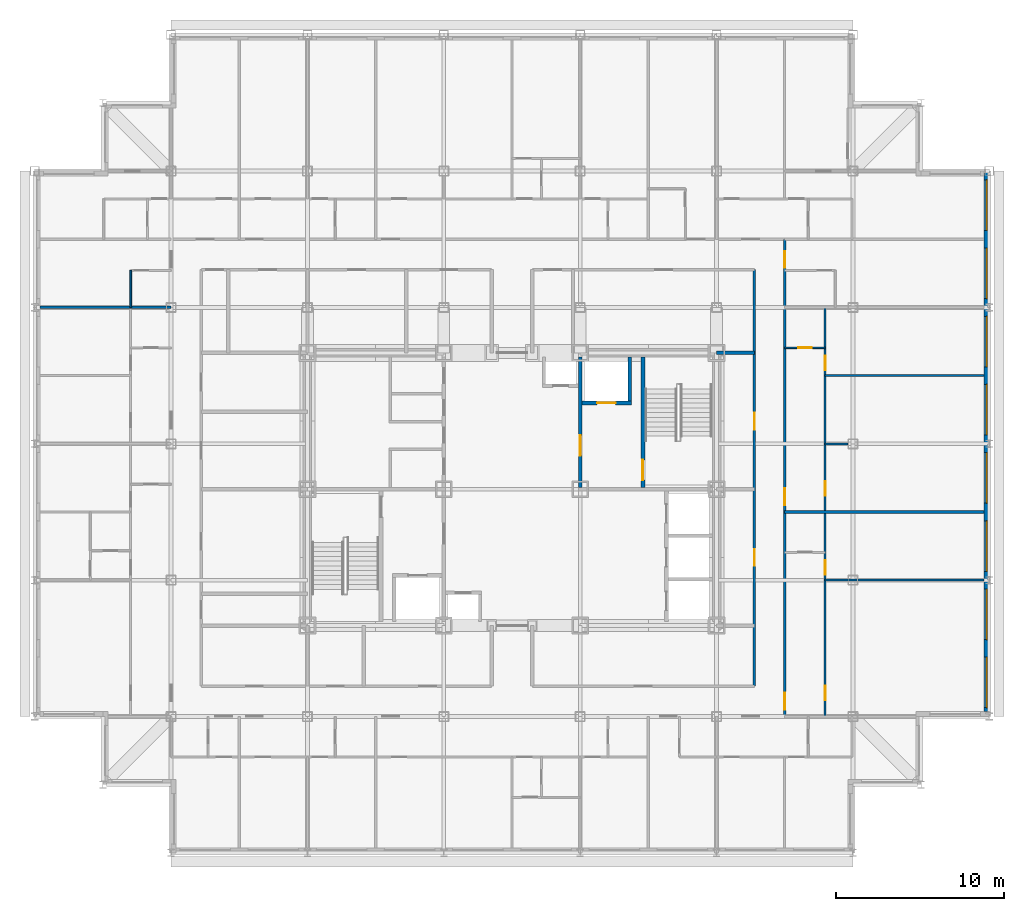
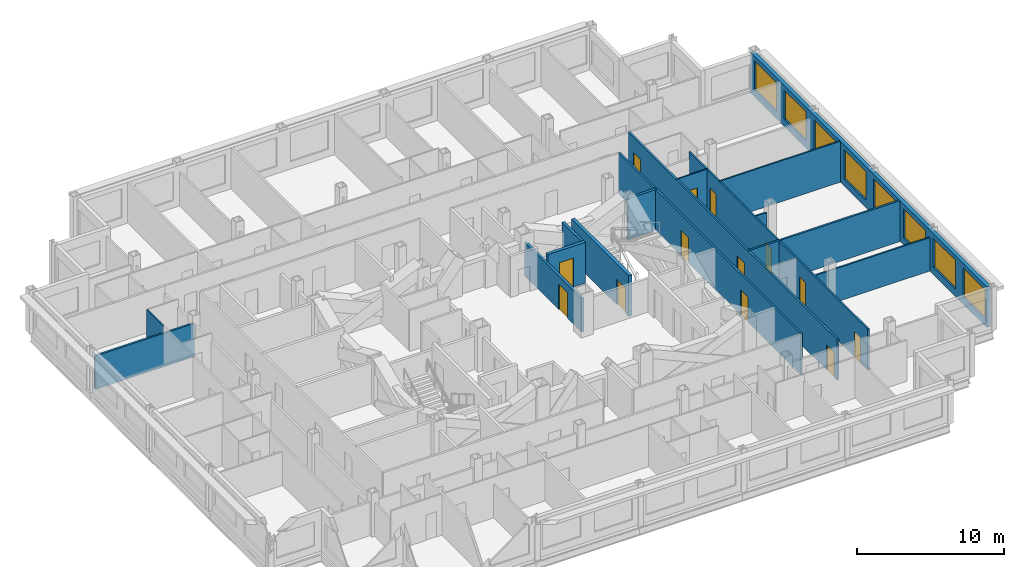
# One storey, part 8 of 12: 16 walls, 13 doors, 8 windows, 21 openings.
"""IFC4 building model written with IfcOpenShell, lengths in metres."""

from ifc_helpers import new_model, si_unit, direction, frame, frame_2d, origin, place, context, subcontext, project, spatial, rectangle, extrude, material, layer, layer_set, type_object, element, fill, save


model = new_model("IFC4")

# Units and contexts
model_context = context("Model", 3, precision=1e-05, world=origin(), true_north=direction((0.0, 1.0)))
body_context = subcontext(model_context, "Body", "Model", "MODEL_VIEW")
ifc_project = project(units=[si_unit("LENGTHUNIT", "METRE"), si_unit("AREAUNIT", "SQUARE_METRE"), si_unit("VOLUMEUNIT", "CUBIC_METRE"), si_unit("PLANEANGLEUNIT", "RADIAN"), si_unit("MASSUNIT", "GRAM", prefix="KILO")], contexts=[model_context])

# Site, building, storey
site_placement = place(None, origin())
site = spatial("IfcSite", under=ifc_project, at=site_placement, CompositionType="ELEMENT")
building_placement = place(site_placement, origin())
building = spatial("IfcBuilding", under=site, at=building_placement, Name="Kopane Lantern Tower", CompositionType="ELEMENT")
storey_placement = place(building_placement, frame((0.0, 0.0, 202.800048828125)))
storey = spatial("IfcBuildingStorey", under=building, at=storey_placement, Name="L52", CompositionType="ELEMENT", Elevation=202.800048828125)

# Wall, openings, doors
ifc_material_1 = material(Name="Gypsum board on steel studs", Category="steel")
ifc_layer_1 = layer(ifc_material_1, 0.1201171875)
ifc_layer_set_1 = layer_set([ifc_layer_1], Name="APARTMENT INTERNAL WALL 120")
wall_type_1 = type_object("IfcWallType", Name="APARTMENT INTERNAL WALL 120", PredefinedType="PARTITIONING", material=ifc_layer_set_1)
wall_1_placement = place(storey_placement, frame((46.949951171875, 18.89990234375, 0.0), z_axis=(0.0, 0.0, 1.0), x_axis=(0.0, 1.0, 0.0)))
wall_1 = element("IfcWall", 1, at=wall_1_placement, inside=storey, type_object=wall_type_1, Name="Apartment Internal Wall 120 L52", PredefinedType="PARTITIONING", context=body_context, shape_type="SweptSolid", body=[
    extrude(rectangle(XDim=24.300048828125, YDim=0.1201171875, at=frame_2d((12.14990234375, 0.0))), origin(), (0.0, 0.0, 1.0), 3.389892578125),
])
opening_1_placement = place(wall_1_placement, frame((0.97509765625, 0.0, 0.0)))
opening_1 = element("IfcOpeningElement", 2, at=opening_1_placement, cuts=wall_1, Name="Opening L52-055", PredefinedType="OPENING", context=body_context, shape_type="SweptSolid", body=[
    extrude(rectangle(XDim=0.85009765625, YDim=2.10009765625, at=frame_2d((0.425048828125, 1.050048828125))), frame((0.0, 0.070068359375, 0.0), z_axis=(0.0, -1.0, 0.0), x_axis=(1.0, 0.0, 0.0)), (0.0, 0.0, 1.0), 0.14013671875),
])
opening_2_placement = place(wall_1_placement, frame((8.425048828125, 0.0, 0.0)))
opening_2 = element("IfcOpeningElement", 3, at=opening_2_placement, cuts=wall_1, Name="Opening L52-056", PredefinedType="OPENING", context=body_context, shape_type="SweptSolid", body=[
    extrude(rectangle(XDim=0.85009765625, YDim=2.10009765625, at=frame_2d((0.425048828125, 1.050048828125))), frame((0.0, 0.070068359375, 0.0), z_axis=(0.0, -1.0, 0.0), x_axis=(1.0, 0.0, 0.0)), (0.0, 0.0, 1.0), 0.14013671875),
])
opening_3_placement = place(wall_1_placement, frame((13.125, 0.0, 0.0)))
opening_3 = element("IfcOpeningElement", 4, at=opening_3_placement, cuts=wall_1, Name="Opening L52-059", PredefinedType="OPENING", context=body_context, shape_type="SweptSolid", body=[
    extrude(rectangle(XDim=0.85009765625, YDim=2.10009765625, at=frame_2d((0.425048828125, 1.050048828125))), frame((0.0, 0.070068359375, 0.0), z_axis=(0.0, -1.0, 0.0), x_axis=(1.0, 0.0, 0.0)), (0.0, 0.0, 1.0), 0.14013671875),
])
opening_4_placement = place(wall_1_placement, frame((20.574951171875, 0.0, 0.0)))
opening_4 = element("IfcOpeningElement", 5, at=opening_4_placement, cuts=wall_1, Name="Opening L52-060", PredefinedType="OPENING", context=body_context, shape_type="SweptSolid", body=[
    extrude(rectangle(XDim=0.85009765625, YDim=2.10009765625, at=frame_2d((0.425048828125, 1.050048828125))), frame((0.0, 0.070068359375, 0.0), z_axis=(0.0, -1.0, 0.0), x_axis=(1.0, 0.0, 0.0)), (0.0, 0.0, 1.0), 0.14013671875),
])
ifc_material_2 = material(Name="Timber door set", Category="wood")
door_type_1 = type_object("IfcDoorType", Name="DOOR D4 850x2100", OperationType="SINGLE_SWING_LEFT", PredefinedType="DOOR", material=ifc_material_2)
door_1_placement = place(opening_1_placement, origin())
door_1 = element("IfcDoor", 6, at=door_1_placement, inside=storey, type_object=door_type_1, Name="Door L52-055", OperationType="SINGLE_SWING_LEFT", OverallHeight=2.10009765625, OverallWidth=0.85009765625, PredefinedType="DOOR", context=body_context, shape_type="SweptSolid", body=[
    extrude(rectangle(XDim=0.85009765625, YDim=2.10009765625, at=frame_2d((0.425048828125, 1.050048828125))), frame((0.0, 0.02490234375, 0.0), z_axis=(0.0, -1.0, 0.0), x_axis=(1.0, 0.0, 0.0)), (0.0, 0.0, 1.0), 0.050048828125),
])
fill(opening_1, door_1)
door_2_placement = place(opening_2_placement, origin())
door_2 = element("IfcDoor", 7, at=door_2_placement, inside=storey, type_object=door_type_1, Name="Door L52-056", OperationType="SINGLE_SWING_RIGHT", OverallHeight=2.10009765625, OverallWidth=0.85009765625, PredefinedType="DOOR", context=body_context, shape_type="SweptSolid", body=[
    extrude(rectangle(XDim=0.85009765625, YDim=2.10009765625, at=frame_2d((0.425048828125, 1.050048828125))), frame((0.0, 0.02490234375, 0.0), z_axis=(0.0, -1.0, 0.0), x_axis=(1.0, 0.0, 0.0)), (0.0, 0.0, 1.0), 0.050048828125),
])
fill(opening_2, door_2)
door_3_placement = place(opening_3_placement, origin())
door_3 = element("IfcDoor", 8, at=door_3_placement, inside=storey, type_object=door_type_1, Name="Door L52-059", OperationType="SINGLE_SWING_LEFT", OverallHeight=2.10009765625, OverallWidth=0.85009765625, PredefinedType="DOOR", context=body_context, shape_type="SweptSolid", body=[
    extrude(rectangle(XDim=0.85009765625, YDim=2.10009765625, at=frame_2d((0.425048828125, 1.050048828125))), frame((0.0, 0.02490234375, 0.0), z_axis=(0.0, -1.0, 0.0), x_axis=(1.0, 0.0, 0.0)), (0.0, 0.0, 1.0), 0.050048828125),
])
fill(opening_3, door_3)
door_4_placement = place(opening_4_placement, origin())
door_4 = element("IfcDoor", 9, at=door_4_placement, inside=storey, type_object=door_type_1, Name="Door L52-060", OperationType="SINGLE_SWING_RIGHT", OverallHeight=2.10009765625, OverallWidth=0.85009765625, PredefinedType="DOOR", context=body_context, shape_type="SweptSolid", body=[
    extrude(rectangle(XDim=0.85009765625, YDim=2.10009765625, at=frame_2d((0.425048828125, 1.050048828125))), frame((0.0, 0.02490234375, 0.0), z_axis=(0.0, -1.0, 0.0), x_axis=(1.0, 0.0, 0.0)), (0.0, 0.0, 1.0), 0.050048828125),
])
fill(opening_4, door_4)

# Walls
wall_2_placement = place(storey_placement, frame((46.949951171875, 27.0, 0.0), z_axis=(0.0, 0.0, 1.0), x_axis=(1.0, 0.0, 0.0)))
element("IfcWall", 10, at=wall_2_placement, inside=storey, type_object=wall_type_1, Name="Apartment Internal Wall 120 L52", PredefinedType="PARTITIONING", context=body_context, shape_type="SweptSolid", body=[
    extrude(rectangle(XDim=9.449951171875, YDim=0.1201171875, at=frame_2d((4.72509765625, 0.0))), origin(), (0.0, 0.0, 1.0), 2.77783203125),
])
wall_3_placement = place(storey_placement, frame((46.949951171875, 39.14990234375, 0.0), z_axis=(0.0, 0.0, 1.0), x_axis=(1.0, 0.0, 0.0)))
element("IfcWall", 11, at=wall_3_placement, inside=storey, type_object=wall_type_1, Name="Apartment Internal Wall 120 L52", PredefinedType="PARTITIONING", context=body_context, shape_type="SweptSolid", body=[
    extrude(rectangle(XDim=9.449951171875, YDim=0.1201171875, at=frame_2d((4.72509765625, 0.0))), origin(), (0.0, 0.0, 1.0), 3.389892578125),
])
wall_4_placement = place(storey_placement, frame((46.949951171875, 35.10009765625, 0.0), z_axis=(0.0, 0.0, 1.0), x_axis=(1.0, 0.0, 0.0)))
element("IfcWall", 12, at=wall_4_placement, inside=storey, type_object=wall_type_1, Name="Apartment Internal Wall 120 L52", PredefinedType="PARTITIONING", context=body_context, shape_type="SweptSolid", body=[
    extrude(rectangle(XDim=1.35009765625, YDim=0.1201171875, at=frame_2d((0.675048828125, 0.0))), origin(), (0.0, 0.0, 1.0), 2.77783203125),
])
ifc_material_3 = material(Name="Moisture-resistant board on steel studs", Category="steel")
ifc_layer_2 = layer(ifc_material_3, 0.10009765625)
ifc_layer_set_2 = layer_set([ifc_layer_2], Name="BATHROOM WALL 100")
wall_type_2 = type_object("IfcWallType", Name="BATHROOM WALL 100", PredefinedType="PARTITIONING", material=ifc_layer_set_2)
wall_5_placement = place(storey_placement, frame((5.699951171875, 43.199951171875, 0.0), z_axis=(0.0, 0.0, 1.0), x_axis=(0.0, 1.0, 0.0)))
element("IfcWall", 13, at=wall_5_placement, inside=storey, type_object=wall_type_2, Name="Bathroom Wall 100 L52", PredefinedType="PARTITIONING", context=body_context, shape_type="SweptSolid", body=[
    extrude(rectangle(XDim=2.199951171875, YDim=0.10009765625, at=frame_2d((1.10009765625, 0.0))), origin(), (0.0, 0.0, 1.0), 3.389892578125),
])

# Wall, opening, door
wall_6_placement = place(storey_placement, frame((44.550048828125, 40.800048828125, 0.0), z_axis=(0.0, 0.0, 1.0), x_axis=(1.0, 0.0, 0.0)))
wall_6 = element("IfcWall", 14, at=wall_6_placement, inside=storey, type_object=wall_type_2, Name="Bathroom Wall 100 L52", PredefinedType="PARTITIONING", context=body_context, shape_type="SweptSolid", body=[
    extrude(rectangle(XDim=2.39990234375, YDim=0.10009765625, at=frame_2d((1.199951171875, 0.0))), origin(), (0.0, 0.0, 1.0), 3.389892578125),
])
opening_5_placement = place(wall_6_placement, frame((0.800048828125, 0.0, 0.0)))
opening_5 = element("IfcOpeningElement", 15, at=opening_5_placement, cuts=wall_6, Name="Opening L52-057", PredefinedType="OPENING", context=body_context, shape_type="SweptSolid", body=[
    extrude(rectangle(XDim=0.800048828125, YDim=2.10009765625, at=frame_2d((0.39990234375, 1.050048828125))), frame((0.0, 0.06005859375, 0.0), z_axis=(0.0, -1.0, 0.0), x_axis=(1.0, 0.0, 0.0)), (0.0, 0.0, 1.0), 0.1201171875),
])
ifc_material_4 = material(Name="Timber door set", Category="wood")
door_type_2 = type_object("IfcDoorType", Name="DOOR D2 800x2100", OperationType="SINGLE_SWING_LEFT", PredefinedType="DOOR", material=ifc_material_4)
door_5_placement = place(opening_5_placement, origin())
door_5 = element("IfcDoor", 16, at=door_5_placement, inside=storey, type_object=door_type_2, Name="Door L52-057", OperationType="SINGLE_SWING_LEFT", OverallHeight=2.10009765625, OverallWidth=0.800048828125, PredefinedType="DOOR", context=body_context, shape_type="SweptSolid", body=[
    extrude(rectangle(XDim=0.800048828125, YDim=2.10009765625, at=frame_2d((0.39990234375, 1.050048828125))), frame((0.0, 0.02490234375, 0.0), z_axis=(0.0, -1.0, 0.0), x_axis=(1.0, 0.0, 0.0)), (0.0, 0.0, 1.0), 0.050048828125),
])
fill(opening_5, door_5)

ifc_material_5 = material(Name="Gypsum shaft wall EI 120", Category="gypsum")
ifc_layer_3 = layer(ifc_material_5, 0.25)
ifc_layer_set_3 = layer_set([ifc_layer_3], Name="CORE SHAFT WALL 250 EI 120")
wall_type_3 = type_object("IfcWallType", Name="CORE SHAFT WALL 250 EI 120", PredefinedType="SOLIDWALL", material=ifc_layer_set_3)
wall_7_placement = place(storey_placement, frame((36.125, 32.5, 0.0), z_axis=(0.0, 0.0, 1.0), x_axis=(0.0, 1.0, 0.0)))
wall_7 = element("IfcWall", 17, at=wall_7_placement, inside=storey, type_object=wall_type_3, Name="Core shaft wall L52 XST2", PredefinedType="SOLIDWALL", context=body_context, shape_type="SweptSolid", body=[
    extrude(rectangle(XDim=7.75, YDim=0.25, at=frame_2d((3.875, 0.0))), origin(), (0.0, 0.0, 1.0), 3.389892578125),
])
opening_6_placement = place(wall_7_placement, frame((0.449951171875, 0.0, 0.0)))
opening_6 = element("IfcOpeningElement", 18, at=opening_6_placement, cuts=wall_7, Name="Opening 52.SD2", PredefinedType="OPENING", context=body_context, shape_type="SweptSolid", body=[
    extrude(rectangle(XDim=1.199951171875, YDim=2.10009765625, at=frame_2d((0.60009765625, 1.050048828125))), frame((0.0, 0.135009765625, 0.0), z_axis=(0.0, -1.0, 0.0), x_axis=(1.0, 0.0, 0.0)), (0.0, 0.0, 1.0), 0.27001953125),
])
ifc_material_6 = material(Name="Steel door set", Category="steel")
door_type_3 = type_object("IfcDoorType", Name="STAIR DOOR 1200x2100 FD60S", OperationType="SINGLE_SWING_LEFT", PredefinedType="DOOR", material=ifc_material_6)
door_6_placement = place(opening_6_placement, origin())
door_6 = element("IfcDoor", 19, at=door_6_placement, inside=storey, type_object=door_type_3, Name="Stair door ST2 L52", OperationType="SINGLE_SWING_RIGHT", OverallHeight=2.10009765625, OverallWidth=1.199951171875, PredefinedType="DOOR", context=body_context, shape_type="SweptSolid", body=[
    extrude(rectangle(XDim=1.199951171875, YDim=2.10009765625, at=frame_2d((0.60009765625, 1.050048828125))), frame((0.0, 0.02490234375, 0.0), z_axis=(0.0, -1.0, 0.0), x_axis=(1.0, 0.0, 0.0)), (0.0, 0.0, 1.0), 0.050048828125),
])
fill(opening_6, door_6)

wall_8_placement = place(storey_placement, frame((32.5, 37.52490234375, 0.0), z_axis=(0.0, 0.0, 1.0), x_axis=(1.0, 0.0, 0.0)))
wall_8 = element("IfcWall", 20, at=wall_8_placement, inside=storey, type_object=wall_type_3, Name="Core shaft wall L52 YLF2", PredefinedType="SOLIDWALL", context=body_context, shape_type="SweptSolid", body=[
    extrude(rectangle(XDim=2.949951171875, YDim=0.25, at=frame_2d((1.47509765625, 0.0))), origin(), (0.0, 0.0, 1.0), 3.389892578125),
])
opening_7_placement = place(wall_8_placement, frame((0.89990234375, 0.0, 0.0)))
opening_7 = element("IfcOpeningElement", 21, at=opening_7_placement, cuts=wall_8, Name="Opening 52.LD-LF2", PredefinedType="OPENING", context=body_context, shape_type="SweptSolid", body=[
    extrude(rectangle(XDim=1.10009765625, YDim=2.39990234375, at=frame_2d((0.550048828125, 1.199951171875))), frame((0.0, 0.135009765625, 0.0), z_axis=(0.0, -1.0, 0.0), x_axis=(1.0, 0.0, 0.0)), (0.0, 0.0, 1.0), 0.27001953125),
])
ifc_material_7 = material(Name="Steel door set", Category="steel")
door_type_4 = type_object("IfcDoorType", Name="LIFT LANDING DOOR 1100x2400 FD60", OperationType="DOUBLE_DOOR_SLIDING", PredefinedType="DOOR", material=ifc_material_7)
door_7_placement = place(opening_7_placement, origin())
door_7 = element("IfcDoor", 22, at=door_7_placement, inside=storey, type_object=door_type_4, Name="Landing door LF2 L52", OperationType="DOUBLE_DOOR_SLIDING", OverallHeight=2.39990234375, OverallWidth=1.10009765625, PredefinedType="DOOR", context=body_context, shape_type="SweptSolid", body=[
    extrude(rectangle(XDim=1.10009765625, YDim=2.39990234375, at=frame_2d((0.550048828125, 1.199951171875))), frame((0.0, 0.02490234375, 0.0), z_axis=(0.0, -1.0, 0.0), x_axis=(1.0, 0.0, 0.0)), (0.0, 0.0, 1.0), 0.050048828125),
])
fill(opening_7, door_7)

# Wall, openings, doors
ifc_material_8 = material(Name="Gypsum board on steel studs", Category="steel")
ifc_layer_4 = layer(ifc_material_8, 0.14990234375)
ifc_layer_set_4 = layer_set([ifc_layer_4], Name="CORRIDOR WALL 150 EI 60")
wall_type_4 = type_object("IfcWallType", Name="CORRIDOR WALL 150 EI 60", PredefinedType="PARTITIONING", material=ifc_layer_set_4)
wall_9_placement = place(storey_placement, frame((44.550048828125, 18.89990234375, 0.0), z_axis=(0.0, 0.0, 1.0), x_axis=(0.0, 1.0, 0.0)))
wall_9 = element("IfcWall", 23, at=wall_9_placement, inside=storey, type_object=wall_type_4, Name="Corridor Wall 150 Ei 60 L52", PredefinedType="PARTITIONING", context=body_context, shape_type="SweptSolid", body=[
    extrude(rectangle(XDim=28.35009765625, YDim=0.14990234375, at=frame_2d((14.175048828125, 0.0))), origin(), (0.0, 0.0, 1.0), 3.389892578125),
])
opening_8_placement = place(wall_9_placement, frame((0.39990234375, 0.0, 0.0)))
opening_8 = element("IfcOpeningElement", 24, at=opening_8_placement, cuts=wall_9, Name="Opening L52-054", PredefinedType="OPENING", context=body_context, shape_type="SweptSolid", body=[
    extrude(rectangle(XDim=1.0, YDim=2.10009765625, at=frame_2d((0.5, 1.050048828125))), frame((0.0, 0.0849609375, 0.0), z_axis=(0.0, -1.0, 0.0), x_axis=(1.0, 0.0, 0.0)), (0.0, 0.0, 1.0), 0.169921875),
])
opening_9_placement = place(wall_9_placement, frame((12.550048828125, 0.0, 0.0)))
opening_9 = element("IfcOpeningElement", 25, at=opening_9_placement, cuts=wall_9, Name="Opening L52-058", PredefinedType="OPENING", context=body_context, shape_type="SweptSolid", body=[
    extrude(rectangle(XDim=1.0, YDim=2.10009765625, at=frame_2d((0.5, 1.050048828125))), frame((0.0, 0.0849609375, 0.0), z_axis=(0.0, -1.0, 0.0), x_axis=(1.0, 0.0, 0.0)), (0.0, 0.0, 1.0), 0.169921875),
])
opening_10_placement = place(wall_9_placement, frame((26.64990234375, 0.0, 0.0)))
opening_10 = element("IfcOpeningElement", 26, at=opening_10_placement, cuts=wall_9, Name="Opening L52-062", PredefinedType="OPENING", context=body_context, shape_type="SweptSolid", body=[
    extrude(rectangle(XDim=1.0, YDim=2.10009765625, at=frame_2d((0.5, 1.050048828125))), frame((0.0, 0.0849609375, 0.0), z_axis=(0.0, -1.0, 0.0), x_axis=(1.0, 0.0, 0.0)), (0.0, 0.0, 1.0), 0.169921875),
])
ifc_material_9 = material(Name="Steel door set", Category="steel")
door_type_5 = type_object("IfcDoorType", Name="DOOR D3 1000x2100 FD30S", OperationType="SINGLE_SWING_LEFT", PredefinedType="DOOR", material=ifc_material_9)
door_8_placement = place(opening_8_placement, origin())
door_8 = element("IfcDoor", 27, at=door_8_placement, inside=storey, type_object=door_type_5, Name="Door L52-054", OperationType="SINGLE_SWING_RIGHT", OverallHeight=2.10009765625, OverallWidth=1.0, PredefinedType="DOOR", context=body_context, shape_type="SweptSolid", body=[
    extrude(rectangle(XDim=1.0, YDim=2.10009765625, at=frame_2d((0.5, 1.050048828125))), frame((0.0, 0.02490234375, 0.0), z_axis=(0.0, -1.0, 0.0), x_axis=(1.0, 0.0, 0.0)), (0.0, 0.0, 1.0), 0.050048828125),
])
fill(opening_8, door_8)
door_9_placement = place(opening_9_placement, origin())
door_9 = element("IfcDoor", 28, at=door_9_placement, inside=storey, type_object=door_type_5, Name="Door L52-058", OperationType="SINGLE_SWING_RIGHT", OverallHeight=2.10009765625, OverallWidth=1.0, PredefinedType="DOOR", context=body_context, shape_type="SweptSolid", body=[
    extrude(rectangle(XDim=1.0, YDim=2.10009765625, at=frame_2d((0.5, 1.050048828125))), frame((0.0, 0.02490234375, 0.0), z_axis=(0.0, -1.0, 0.0), x_axis=(1.0, 0.0, 0.0)), (0.0, 0.0, 1.0), 0.050048828125),
])
fill(opening_9, door_9)
door_10_placement = place(opening_10_placement, origin())
door_10 = element("IfcDoor", 29, at=door_10_placement, inside=storey, type_object=door_type_5, Name="Door L52-062", OperationType="SINGLE_SWING_RIGHT", OverallHeight=2.10009765625, OverallWidth=1.0, PredefinedType="DOOR", context=body_context, shape_type="SweptSolid", body=[
    extrude(rectangle(XDim=1.0, YDim=2.10009765625, at=frame_2d((0.5, 1.050048828125))), frame((0.0, 0.02490234375, 0.0), z_axis=(0.0, -1.0, 0.0), x_axis=(1.0, 0.0, 0.0)), (0.0, 0.0, 1.0), 0.050048828125),
])
fill(opening_10, door_10)

wall_10_placement = place(storey_placement, frame((42.75, 20.699951171875, 0.0), z_axis=(0.0, 0.0, 1.0), x_axis=(0.0, 1.0, 0.0)))
wall_10 = element("IfcWall", 30, at=wall_10_placement, inside=storey, type_object=wall_type_4, Name="Corridor Wall 150 Ei 60 L52", PredefinedType="PARTITIONING", context=body_context, shape_type="SweptSolid", body=[
    extrude(rectangle(XDim=24.75, YDim=0.14990234375, at=frame_2d((12.375, 0.0))), origin(), (0.0, 0.0, 1.0), 3.389892578125),
])
opening_11_placement = place(wall_10_placement, frame((7.14990234375, 0.0, 0.0)))
opening_11 = element("IfcOpeningElement", 31, at=opening_11_placement, cuts=wall_10, Name="Opening L52-005", PredefinedType="OPENING", context=body_context, shape_type="SweptSolid", body=[
    extrude(rectangle(XDim=1.0, YDim=2.10009765625, at=frame_2d((0.5, 1.050048828125))), frame((0.0, 0.0849609375, 0.0), z_axis=(0.0, -1.0, 0.0), x_axis=(1.0, 0.0, 0.0)), (0.0, 0.0, 1.0), 0.169921875),
])
opening_12_placement = place(wall_10_placement, frame((15.25, 0.0, 0.0)))
opening_12 = element("IfcOpeningElement", 32, at=opening_12_placement, cuts=wall_10, Name="Opening L52-006", PredefinedType="OPENING", context=body_context, shape_type="SweptSolid", body=[
    extrude(rectangle(XDim=1.0, YDim=2.10009765625, at=frame_2d((0.5, 1.050048828125))), frame((0.0, 0.0849609375, 0.0), z_axis=(0.0, -1.0, 0.0), x_axis=(1.0, 0.0, 0.0)), (0.0, 0.0, 1.0), 0.169921875),
])
ifc_material_10 = material(Name="Steel door set", Category="steel")
door_type_6 = type_object("IfcDoorType", Name="DOOR D5 1000x2100 FD60", OperationType="SINGLE_SWING_LEFT", PredefinedType="DOOR", material=ifc_material_10)
door_11_placement = place(opening_11_placement, origin())
door_11 = element("IfcDoor", 33, at=door_11_placement, inside=storey, type_object=door_type_6, Name="Door L52-005", OperationType="SINGLE_SWING_LEFT", OverallHeight=2.10009765625, OverallWidth=1.0, PredefinedType="DOOR", context=body_context, shape_type="SweptSolid", body=[
    extrude(rectangle(XDim=1.0, YDim=2.10009765625, at=frame_2d((0.5, 1.050048828125))), frame((0.0, 0.02490234375, 0.0), z_axis=(0.0, -1.0, 0.0), x_axis=(1.0, 0.0, 0.0)), (0.0, 0.0, 1.0), 0.050048828125),
])
fill(opening_11, door_11)
door_12_placement = place(opening_12_placement, origin())
door_12 = element("IfcDoor", 34, at=door_12_placement, inside=storey, type_object=door_type_6, Name="Door L52-006", OperationType="SINGLE_SWING_RIGHT", OverallHeight=2.10009765625, OverallWidth=1.0, PredefinedType="DOOR", context=body_context, shape_type="SweptSolid", body=[
    extrude(rectangle(XDim=1.0, YDim=2.10009765625, at=frame_2d((0.5, 1.050048828125))), frame((0.0, 0.02490234375, 0.0), z_axis=(0.0, -1.0, 0.0), x_axis=(1.0, 0.0, 0.0)), (0.0, 0.0, 1.0), 0.050048828125),
])
fill(opening_12, door_12)

# Walls
ifc_material_11 = material(Name="Gypsum board on steel studs", Category="steel")
ifc_layer_5 = layer(ifc_material_11, 0.14990234375)
ifc_layer_set_5 = layer_set([ifc_layer_5], Name="DEMISING WALL 150 EI 60")
wall_type_5 = type_object("IfcWallType", Name="DEMISING WALL 150 EI 60", PredefinedType="PARTITIONING", material=ifc_layer_set_5)
wall_11_placement = place(storey_placement, frame((8.10009765625, 43.199951171875, 0.0), z_axis=(0.0, 0.0, 1.0), x_axis=(-1.0, 0.0, 0.0)))
element("IfcWall", 35, at=wall_11_placement, inside=storey, type_object=wall_type_5, Name="Demising Wall 150 Ei 60 L52", PredefinedType="PARTITIONING", context=body_context, shape_type="SweptSolid", body=[
    extrude(rectangle(XDim=7.800048828125, YDim=0.14990234375, at=frame_2d((3.89990234375, 0.0))), origin(), (0.0, 0.0, 1.0), 2.77783203125),
])
wall_12_placement = place(storey_placement, frame((44.550048828125, 31.050048828125, 0.0), z_axis=(0.0, 0.0, 1.0), x_axis=(1.0, 0.0, 0.0)))
element("IfcWall", 36, at=wall_12_placement, inside=storey, type_object=wall_type_5, Name="Demising Wall 150 Ei 60 L52", PredefinedType="PARTITIONING", context=body_context, shape_type="SweptSolid", body=[
    extrude(rectangle(XDim=11.849853515625, YDim=0.14990234375, at=frame_2d((5.9248046875, 0.0))), origin(), (0.0, 0.0, 1.0), 3.389892578125),
])

# Wall, openings, windows
ifc_material_12 = material(Name="Terracotta rainscreen on light steel framing", Category="masonry")
ifc_layer_6 = layer(ifc_material_12, 0.300048828125)
ifc_layer_set_6 = layer_set([ifc_layer_6], Name="EXTERNAL WALL EW1 300 TERRACOTTA")
wall_type_6 = type_object("IfcWallType", Name="EXTERNAL WALL EW1 300 TERRACOTTA", PredefinedType="SOLIDWALL", material=ifc_layer_set_6)
wall_13_placement = place(storey_placement, frame((56.550048828125, 19.199951171875, 0.0), z_axis=(0.0, 0.0, 1.0), x_axis=(0.0, 1.0, 0.0)))
wall_13 = element("IfcWall", 37, at=wall_13_placement, inside=storey, type_object=wall_type_6, Name="External wall E L52", PredefinedType="SOLIDWALL", context=body_context, shape_type="SweptSolid", body=[
    extrude(rectangle(XDim=32.10009765625, YDim=0.300048828125, at=frame_2d((16.050048828125, 0.0))), origin(), (0.0, 0.0, 1.0), 3.389892578125),
])
opening_13_placement = place(wall_13_placement, frame((0.22509765625, 0.0, 0.60009765625)))
opening_13 = element("IfcOpeningElement", 38, at=opening_13_placement, cuts=wall_13, Name="Opening WR300240", PredefinedType="OPENING", context=body_context, shape_type="SweptSolid", body=[
    extrude(rectangle(XDim=3.0, YDim=2.39990234375, at=frame_2d((1.5, 1.199951171875))), frame((0.0, 0.159912109375, 0.0), z_axis=(0.0, -1.0, 0.0), x_axis=(1.0, 0.0, 0.0)), (0.0, 0.0, 1.0), 0.320068359375),
])
opening_14_placement = place(wall_13_placement, frame((4.27490234375, 0.0, 0.60009765625)))
opening_14 = element("IfcOpeningElement", 39, at=opening_14_placement, cuts=wall_13, Name="Opening WR300240", PredefinedType="OPENING", context=body_context, shape_type="SweptSolid", body=[
    extrude(rectangle(XDim=3.0, YDim=2.39990234375, at=frame_2d((1.5, 1.199951171875))), frame((0.0, 0.159912109375, 0.0), z_axis=(0.0, -1.0, 0.0), x_axis=(1.0, 0.0, 0.0)), (0.0, 0.0, 1.0), 0.320068359375),
])
opening_15_placement = place(wall_13_placement, frame((8.324951171875, 0.0, 0.60009765625)))
opening_15 = element("IfcOpeningElement", 40, at=opening_15_placement, cuts=wall_13, Name="Opening WR300240", PredefinedType="OPENING", context=body_context, shape_type="SweptSolid", body=[
    extrude(rectangle(XDim=3.0, YDim=2.39990234375, at=frame_2d((1.5, 1.199951171875))), frame((0.0, 0.159912109375, 0.0), z_axis=(0.0, -1.0, 0.0), x_axis=(1.0, 0.0, 0.0)), (0.0, 0.0, 1.0), 0.320068359375),
])
opening_16_placement = place(wall_13_placement, frame((12.375, 0.0, 0.60009765625)))
opening_16 = element("IfcOpeningElement", 41, at=opening_16_placement, cuts=wall_13, Name="Opening WR300240", PredefinedType="OPENING", context=body_context, shape_type="SweptSolid", body=[
    extrude(rectangle(XDim=3.0, YDim=2.39990234375, at=frame_2d((1.5, 1.199951171875))), frame((0.0, 0.159912109375, 0.0), z_axis=(0.0, -1.0, 0.0), x_axis=(1.0, 0.0, 0.0)), (0.0, 0.0, 1.0), 0.320068359375),
])
opening_17_placement = place(wall_13_placement, frame((16.425048828125, 0.0, 0.60009765625)))
opening_17 = element("IfcOpeningElement", 42, at=opening_17_placement, cuts=wall_13, Name="Opening WR300240", PredefinedType="OPENING", context=body_context, shape_type="SweptSolid", body=[
    extrude(rectangle(XDim=3.0, YDim=2.39990234375, at=frame_2d((1.5, 1.199951171875))), frame((0.0, 0.159912109375, 0.0), z_axis=(0.0, -1.0, 0.0), x_axis=(1.0, 0.0, 0.0)), (0.0, 0.0, 1.0), 0.320068359375),
])
opening_18_placement = place(wall_13_placement, frame((20.47509765625, 0.0, 0.60009765625)))
opening_18 = element("IfcOpeningElement", 43, at=opening_18_placement, cuts=wall_13, Name="Opening WR300240", PredefinedType="OPENING", context=body_context, shape_type="SweptSolid", body=[
    extrude(rectangle(XDim=3.0, YDim=2.39990234375, at=frame_2d((1.5, 1.199951171875))), frame((0.0, 0.159912109375, 0.0), z_axis=(0.0, -1.0, 0.0), x_axis=(1.0, 0.0, 0.0)), (0.0, 0.0, 1.0), 0.320068359375),
])
opening_19_placement = place(wall_13_placement, frame((24.52490234375, 0.0, 0.60009765625)))
opening_19 = element("IfcOpeningElement", 44, at=opening_19_placement, cuts=wall_13, Name="Opening WR300240", PredefinedType="OPENING", context=body_context, shape_type="SweptSolid", body=[
    extrude(rectangle(XDim=3.0, YDim=2.39990234375, at=frame_2d((1.5, 1.199951171875))), frame((0.0, 0.159912109375, 0.0), z_axis=(0.0, -1.0, 0.0), x_axis=(1.0, 0.0, 0.0)), (0.0, 0.0, 1.0), 0.320068359375),
])
opening_20_placement = place(wall_13_placement, frame((28.574951171875, 0.0, 0.60009765625)))
opening_20 = element("IfcOpeningElement", 45, at=opening_20_placement, cuts=wall_13, Name="Opening WR300240", PredefinedType="OPENING", context=body_context, shape_type="SweptSolid", body=[
    extrude(rectangle(XDim=3.0, YDim=2.39990234375, at=frame_2d((1.5, 1.199951171875))), frame((0.0, 0.159912109375, 0.0), z_axis=(0.0, -1.0, 0.0), x_axis=(1.0, 0.0, 0.0)), (0.0, 0.0, 1.0), 0.320068359375),
])
ifc_material_13 = material(Name="Aluminium and clear glass", Category="aluminium")
window_type = type_object("IfcWindowType", Name="RIBBON WINDOW WR300240 3000x2400", PartitioningType="SINGLE_PANEL", PredefinedType="WINDOW", material=ifc_material_13)
window_1_placement = place(opening_13_placement, origin())
window_1 = element("IfcWindow", 46, at=window_1_placement, inside=storey, type_object=window_type, Name="Window E L52", OverallHeight=2.39990234375, OverallWidth=3.0, PartitioningType="SINGLE_PANEL", PredefinedType="WINDOW", context=body_context, shape_type="SweptSolid", body=[
    extrude(rectangle(XDim=3.0, YDim=2.39990234375, at=frame_2d((1.5, 1.199951171875))), frame((0.0, 0.030029296875, 0.0), z_axis=(0.0, -1.0, 0.0), x_axis=(1.0, 0.0, 0.0)), (0.0, 0.0, 1.0), 0.06005859375),
])
fill(opening_13, window_1)
window_2_placement = place(opening_14_placement, origin())
window_2 = element("IfcWindow", 47, at=window_2_placement, inside=storey, type_object=window_type, Name="Window E L52", OverallHeight=2.39990234375, OverallWidth=3.0, PartitioningType="SINGLE_PANEL", PredefinedType="WINDOW", context=body_context, shape_type="SweptSolid", body=[
    extrude(rectangle(XDim=3.0, YDim=2.39990234375, at=frame_2d((1.5, 1.199951171875))), frame((0.0, 0.030029296875, 0.0), z_axis=(0.0, -1.0, 0.0), x_axis=(1.0, 0.0, 0.0)), (0.0, 0.0, 1.0), 0.06005859375),
])
fill(opening_14, window_2)
window_3_placement = place(opening_15_placement, origin())
window_3 = element("IfcWindow", 48, at=window_3_placement, inside=storey, type_object=window_type, Name="Window E L52", OverallHeight=2.39990234375, OverallWidth=3.0, PartitioningType="SINGLE_PANEL", PredefinedType="WINDOW", context=body_context, shape_type="SweptSolid", body=[
    extrude(rectangle(XDim=3.0, YDim=2.39990234375, at=frame_2d((1.5, 1.199951171875))), frame((0.0, 0.030029296875, 0.0), z_axis=(0.0, -1.0, 0.0), x_axis=(1.0, 0.0, 0.0)), (0.0, 0.0, 1.0), 0.06005859375),
])
fill(opening_15, window_3)
window_4_placement = place(opening_16_placement, origin())
window_4 = element("IfcWindow", 49, at=window_4_placement, inside=storey, type_object=window_type, Name="Window E L52", OverallHeight=2.39990234375, OverallWidth=3.0, PartitioningType="SINGLE_PANEL", PredefinedType="WINDOW", context=body_context, shape_type="SweptSolid", body=[
    extrude(rectangle(XDim=3.0, YDim=2.39990234375, at=frame_2d((1.5, 1.199951171875))), frame((0.0, 0.030029296875, 0.0), z_axis=(0.0, -1.0, 0.0), x_axis=(1.0, 0.0, 0.0)), (0.0, 0.0, 1.0), 0.06005859375),
])
fill(opening_16, window_4)
window_5_placement = place(opening_17_placement, origin())
window_5 = element("IfcWindow", 50, at=window_5_placement, inside=storey, type_object=window_type, Name="Window E L52", OverallHeight=2.39990234375, OverallWidth=3.0, PartitioningType="SINGLE_PANEL", PredefinedType="WINDOW", context=body_context, shape_type="SweptSolid", body=[
    extrude(rectangle(XDim=3.0, YDim=2.39990234375, at=frame_2d((1.5, 1.199951171875))), frame((0.0, 0.030029296875, 0.0), z_axis=(0.0, -1.0, 0.0), x_axis=(1.0, 0.0, 0.0)), (0.0, 0.0, 1.0), 0.06005859375),
])
fill(opening_17, window_5)
window_6_placement = place(opening_18_placement, origin())
window_6 = element("IfcWindow", 51, at=window_6_placement, inside=storey, type_object=window_type, Name="Window E L52", OverallHeight=2.39990234375, OverallWidth=3.0, PartitioningType="SINGLE_PANEL", PredefinedType="WINDOW", context=body_context, shape_type="SweptSolid", body=[
    extrude(rectangle(XDim=3.0, YDim=2.39990234375, at=frame_2d((1.5, 1.199951171875))), frame((0.0, 0.030029296875, 0.0), z_axis=(0.0, -1.0, 0.0), x_axis=(1.0, 0.0, 0.0)), (0.0, 0.0, 1.0), 0.06005859375),
])
fill(opening_18, window_6)
window_7_placement = place(opening_19_placement, origin())
window_7 = element("IfcWindow", 52, at=window_7_placement, inside=storey, type_object=window_type, Name="Window E L52", OverallHeight=2.39990234375, OverallWidth=3.0, PartitioningType="SINGLE_PANEL", PredefinedType="WINDOW", context=body_context, shape_type="SweptSolid", body=[
    extrude(rectangle(XDim=3.0, YDim=2.39990234375, at=frame_2d((1.5, 1.199951171875))), frame((0.0, 0.030029296875, 0.0), z_axis=(0.0, -1.0, 0.0), x_axis=(1.0, 0.0, 0.0)), (0.0, 0.0, 1.0), 0.06005859375),
])
fill(opening_19, window_7)
window_8_placement = place(opening_20_placement, origin())
window_8 = element("IfcWindow", 53, at=window_8_placement, inside=storey, type_object=window_type, Name="Window E L52", OverallHeight=2.39990234375, OverallWidth=3.0, PartitioningType="SINGLE_PANEL", PredefinedType="WINDOW", context=body_context, shape_type="SweptSolid", body=[
    extrude(rectangle(XDim=3.0, YDim=2.39990234375, at=frame_2d((1.5, 1.199951171875))), frame((0.0, 0.030029296875, 0.0), z_axis=(0.0, -1.0, 0.0), x_axis=(1.0, 0.0, 0.0)), (0.0, 0.0, 1.0), 0.06005859375),
])
fill(opening_20, window_8)

# Wall
ifc_material_14 = material(Name="Concrete masonry", Category="masonry")
ifc_layer_7 = layer(ifc_material_14, 0.199951171875)
ifc_layer_set_7 = layer_set([ifc_layer_7], Name="PLANT ROOM WALL 200 EI 120")
wall_type_7 = type_object("IfcWallType", Name="PLANT ROOM WALL 200 EI 120", PredefinedType="SOLIDWALL", material=ifc_layer_set_7)
wall_14_placement = place(storey_placement, frame((40.5, 40.5, 0.0), z_axis=(0.0, 0.0, 1.0), x_axis=(1.0, 0.0, 0.0)))
element("IfcWall", 54, at=wall_14_placement, inside=storey, type_object=wall_type_7, Name="Plant Room Wall 200 Ei 120 L52", PredefinedType="SOLIDWALL", context=body_context, shape_type="SweptSolid", body=[
    extrude(rectangle(XDim=2.25, YDim=0.199951171875, at=frame_2d((1.125, 0.0))), origin(), (0.0, 0.0, 1.0), 3.389892578125),
])

# Wall, opening, door
ifc_material_15 = material(Name="Gypsum shaft wall EI 120", Category="gypsum")
ifc_layer_8 = layer(ifc_material_15, 0.199951171875)
ifc_layer_set_8 = layer_set([ifc_layer_8], Name="SHAFT WALL 200 EI 120")
wall_type_8 = type_object("IfcWallType", Name="SHAFT WALL 200 EI 120", PredefinedType="SOLIDWALL", material=ifc_layer_set_8)
wall_15_placement = place(storey_placement, frame((32.39990234375, 32.5, 0.0), z_axis=(0.0, 0.0, 1.0), x_axis=(0.0, 1.0, 0.0)))
wall_15 = element("IfcWall", 55, at=wall_15_placement, inside=storey, type_object=wall_type_8, Name="Core shaft wall L52 X324", PredefinedType="SOLIDWALL", context=body_context, shape_type="SweptSolid", body=[
    extrude(rectangle(XDim=7.75, YDim=0.199951171875, at=frame_2d((3.875, 0.0))), origin(), (0.0, 0.0, 1.0), 2.77783203125),
])
opening_21_placement = place(wall_15_placement, frame((1.89990234375, 0.0, 0.0)))
opening_21 = element("IfcOpeningElement", 56, at=opening_21_placement, cuts=wall_15, Name="Opening 52.FL2", PredefinedType="OPENING", context=body_context, shape_type="SweptSolid", body=[
    extrude(rectangle(XDim=1.199951171875, YDim=2.10009765625, at=frame_2d((0.60009765625, 1.050048828125))), frame((0.0, 0.10986328125, 0.0), z_axis=(0.0, -1.0, 0.0), x_axis=(1.0, 0.0, 0.0)), (0.0, 0.0, 1.0), 0.219970703125),
])
ifc_material_16 = material(Name="Steel door set", Category="steel")
door_type_7 = type_object("IfcDoorType", Name="FIREFIGHTING LOBBY DOOR 1200x2100 FD60S", OperationType="SINGLE_SWING_RIGHT", PredefinedType="DOOR", material=ifc_material_16)
door_13_placement = place(opening_21_placement, origin())
door_13 = element("IfcDoor", 57, at=door_13_placement, inside=storey, type_object=door_type_7, Name="Firefighting lobby door FL2 L52", OperationType="SINGLE_SWING_LEFT", OverallHeight=2.10009765625, OverallWidth=1.199951171875, PredefinedType="DOOR", context=body_context, shape_type="SweptSolid", body=[
    extrude(rectangle(XDim=1.199951171875, YDim=2.10009765625, at=frame_2d((0.60009765625, 1.050048828125))), frame((0.0, 0.02490234375, 0.0), z_axis=(0.0, -1.0, 0.0), x_axis=(1.0, 0.0, 0.0)), (0.0, 0.0, 1.0), 0.050048828125),
])
fill(opening_21, door_13)

# Wall
wall_16_placement = place(storey_placement, frame((35.35009765625, 37.64990234375, 0.0), z_axis=(0.0, 0.0, 1.0), x_axis=(0.0, 1.0, 0.0)))
element("IfcWall", 58, at=wall_16_placement, inside=storey, type_object=wall_type_8, Name="Core shaft wall L52 XLF2", PredefinedType="SOLIDWALL", context=body_context, shape_type="SweptSolid", body=[
    extrude(rectangle(XDim=2.60009765625, YDim=0.199951171875, at=frame_2d((1.300048828125, 0.0))), origin(), (0.0, 0.0, 1.0), 3.389892578125),
])

save(model, "model.ifc")
